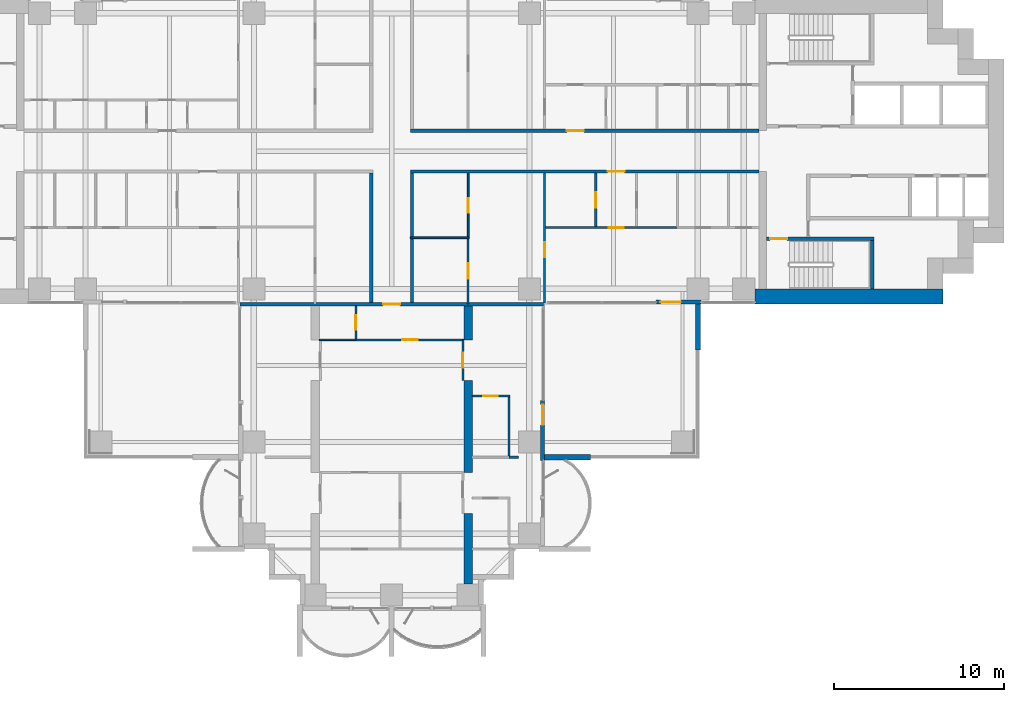
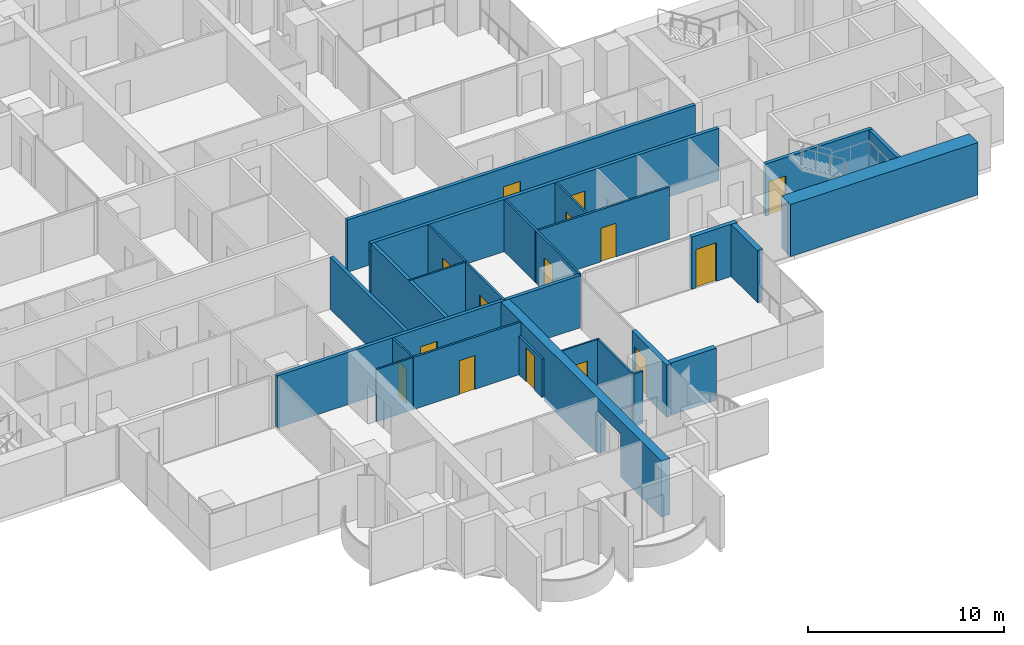
# One storey, part 12 of 21: 26 walls, 15 doors, 15 openings.
"""IFC4 building model written with IfcOpenShell, lengths in metres."""

from ifc_helpers import new_model, si_unit, direction, frame, frame_2d, origin, place, context, subcontext, project, spatial, polyline, rectangle, outline, extrude, material, layer, layer_set, material_profile, profile_set, type_object, element, fill, save


model = new_model("IFC4")

# Units and contexts
model_context = context("Model", 3, precision=1e-05, world=origin(), true_north=direction((0.0, 1.0)))
body_context = subcontext(model_context, "Body", "Model", "MODEL_VIEW")
ifc_project = project(units=[si_unit("LENGTHUNIT", "METRE"), si_unit("AREAUNIT", "SQUARE_METRE"), si_unit("VOLUMEUNIT", "CUBIC_METRE"), si_unit("PLANEANGLEUNIT", "RADIAN"), si_unit("MASSUNIT", "GRAM", prefix="KILO")], contexts=[model_context])

# Site, building, storey
site_placement = place(None, origin())
site = spatial("IfcSite", under=ifc_project, at=site_placement, CompositionType="ELEMENT")
building_placement = place(site_placement, origin())
building = spatial("IfcBuilding", under=site, at=building_placement, Name="Perihelion Cross Residences", CompositionType="ELEMENT")
storey_placement = place(building_placement, frame((0.0, 0.0, 47.0)))
storey = spatial("IfcBuildingStorey", under=building, at=storey_placement, Name="L08", CompositionType="ELEMENT", Elevation=47.0)

# Wall, opening, door
ifc_material_1 = material(Name="Plasterboard partition")
ifc_layer_1 = layer(ifc_material_1, 0.199951171875)
ifc_layer_set_1 = layer_set([ifc_layer_1], Name="Apartment separation wall 200")
wall_type_1 = type_object("IfcWallType", Name="Apartment separation wall 200", PredefinedType="PARTITIONING", material=ifc_layer_set_1)
wall_1_placement = place(storey_placement, frame((1.10009765625, 1.199951171875, 0.0), z_axis=(0.0, 0.0, 1.0), x_axis=(1.0, 0.0, 0.0)))
wall_1 = element("IfcWall", 1, at=wall_1_placement, inside=storey, type_object=wall_type_1, Name="Partition L08 W001", PredefinedType="PARTITIONING", context=body_context, shape_type="SweptSolid", body=[
    extrude(rectangle(XDim=20.5, YDim=0.199951171875, at=frame_2d((10.25, 0.0))), origin(), (0.0, 0.0, 1.0), 3.25),
])
opening_1_placement = place(wall_1_placement, frame((9.199951171875, 0.0, 0.0)))
opening_1 = element("IfcOpeningElement", 2, at=opening_1_placement, cuts=wall_1, Name="Opening L08.A47", PredefinedType="OPENING", context=body_context, shape_type="SweptSolid", body=[
    extrude(rectangle(XDim=1.0, YDim=2.10009765625, at=frame_2d((0.5, 1.050048828125))), frame((0.0, 0.10986328125, 0.0), z_axis=(0.0, -1.0, 0.0), x_axis=(1.0, 0.0, 0.0)), (0.0, 0.0, 1.0), 0.219970703125),
])
ifc_material_2 = material(Name="Timber door leaf", Category="wood")
door_type_1 = type_object("IfcDoorType", Name="Flat entrance door 1000 x 2100", OperationType="SINGLE_SWING_LEFT", PredefinedType="DOOR", material=ifc_material_2)
door_1_placement = place(opening_1_placement, origin())
door_1 = element("IfcDoor", 3, at=door_1_placement, inside=storey, type_object=door_type_1, Name="Door L08.A47", OperationType="SINGLE_SWING_LEFT", OverallHeight=2.10009765625, OverallWidth=1.0, PredefinedType="DOOR", context=body_context, shape_type="SweptSolid", body=[
    extrude(rectangle(XDim=1.0, YDim=2.10009765625, at=frame_2d((0.5, 1.050048828125))), frame((0.0, 0.02490234375, 0.0), z_axis=(0.0, -1.0, 0.0), x_axis=(1.0, 0.0, 0.0)), (0.0, 0.0, 1.0), 0.050048828125),
])
fill(opening_1, door_1)

wall_2_placement = place(storey_placement, frame((21.60009765625, -1.199951171875, 0.0), z_axis=(0.0, 0.0, 1.0), x_axis=(-1.0, 0.0, 0.0)))
wall_2 = element("IfcWall", 4, at=wall_2_placement, inside=storey, type_object=wall_type_1, Name="Partition L08 W003", PredefinedType="PARTITIONING", context=body_context, shape_type="SweptSolid", body=[
    extrude(rectangle(XDim=20.5, YDim=0.199951171875, at=frame_2d((10.25, 0.0))), origin(), (0.0, 0.0, 1.0), 3.25),
])
opening_2_placement = place(wall_2_placement, frame((7.89990234375, 0.0, 0.0)))
opening_2 = element("IfcOpeningElement", 5, at=opening_2_placement, cuts=wall_2, Name="Opening L08.A48", PredefinedType="OPENING", context=body_context, shape_type="SweptSolid", body=[
    extrude(rectangle(XDim=1.0, YDim=2.10009765625, at=frame_2d((0.5, 1.050048828125))), frame((0.0, 0.10986328125, 0.0), z_axis=(0.0, -1.0, 0.0), x_axis=(1.0, 0.0, 0.0)), (0.0, 0.0, 1.0), 0.219970703125),
])
door_2_placement = place(opening_2_placement, origin())
door_2 = element("IfcDoor", 6, at=door_2_placement, inside=storey, type_object=door_type_1, Name="Door L08.A48", OperationType="SINGLE_SWING_RIGHT", OverallHeight=2.10009765625, OverallWidth=1.0, PredefinedType="DOOR", context=body_context, shape_type="SweptSolid", body=[
    extrude(rectangle(XDim=1.0, YDim=2.10009765625, at=frame_2d((0.5, 1.050048828125))), frame((0.0, 0.02490234375, 0.0), z_axis=(0.0, -1.0, 0.0), x_axis=(1.0, 0.0, 0.0)), (0.0, 0.0, 1.0), 0.050048828125),
])
fill(opening_2, door_2)

# Walls
for number, where, z_axis, x_axis, name in (
    (7, (1.199951171875, -1.300048828125, 0.0), (0.0, 0.0, 1.0), (0.0, -1.0, 0.0), "Partition L08 W004"),
    (8, (-1.199951171875, -8.89990234375, 0.0), (0.0, 0.0, 1.0), (0.0, 1.0, 0.0), "Partition L08 W008"),
):
    element("IfcWall", number, at=place(storey_placement, frame(where, z_axis=z_axis, x_axis=x_axis)), inside=storey, type_object=wall_type_1, Name=name, PredefinedType="PARTITIONING", context=body_context, shape_type="SweptSolid", body=[
        extrude(rectangle(XDim=7.599853515625, YDim=0.199951171875, at=frame_2d((3.7998046875, 0.0))), origin(), (0.0, 0.0, 1.0), 3.25),
    ])

# Wall, opening, door
wall_3_placement = place(storey_placement, frame((8.919921875, -9.0, 0.0), z_axis=(0.0, 0.0, 1.0), x_axis=(-1.0, 0.0, 0.0)))
wall_3 = element("IfcWall", 9, at=wall_3_placement, inside=storey, type_object=wall_type_1, Name="Partition L08 W010", PredefinedType="PARTITIONING", context=body_context, shape_type="SweptSolid", body=[
    extrude(rectangle(XDim=17.83984375, YDim=0.199951171875, at=frame_2d((8.919921875, 0.0))), origin(), (0.0, 0.0, 1.0), 3.25),
])
opening_3_placement = place(wall_3_placement, frame((8.419921875, 0.0, 0.0)))
opening_3 = element("IfcOpeningElement", 10, at=opening_3_placement, cuts=wall_3, Name="Opening L08.A39", PredefinedType="OPENING", context=body_context, shape_type="SweptSolid", body=[
    extrude(rectangle(XDim=1.0, YDim=2.10009765625, at=frame_2d((0.5, 1.050048828125))), frame((0.0, 0.10986328125, 0.0), z_axis=(0.0, -1.0, 0.0), x_axis=(1.0, 0.0, 0.0)), (0.0, 0.0, 1.0), 0.219970703125),
])
door_3_placement = place(opening_3_placement, origin())
door_3 = element("IfcDoor", 11, at=door_3_placement, inside=storey, type_object=door_type_1, Name="Door L08.A39", OperationType="SINGLE_SWING_LEFT", OverallHeight=2.10009765625, OverallWidth=1.0, PredefinedType="DOOR", context=body_context, shape_type="SweptSolid", body=[
    extrude(rectangle(XDim=1.0, YDim=2.10009765625, at=frame_2d((0.5, 1.050048828125))), frame((0.0, 0.02490234375, 0.0), z_axis=(0.0, -1.0, 0.0), x_axis=(1.0, 0.0, 0.0)), (0.0, 0.0, 1.0), 0.050048828125),
])
fill(opening_3, door_3)

ifc_material_3 = material(Name="Concrete C30/37, bronze-clad", Category="concrete")
ifc_layer_2 = layer(ifc_material_3, 0.25)
ifc_layer_set_2 = layer_set([ifc_layer_2], Name="Bronze-clad pier wall 250")
wall_type_2 = type_object("IfcWallType", Name="Bronze-clad pier wall 250", PredefinedType="SOLIDWALL", material=ifc_layer_set_2)
wall_4_placement = place(storey_placement, frame((8.875, -18.199951171875, 0.0), z_axis=(0.0, 0.0, 1.0), x_axis=(0.0, 1.0, 0.0)))
wall_4 = element("IfcWall", 12, at=wall_4_placement, inside=storey, type_object=wall_type_2, Name="Wall FW1 L08 south side east bay 2 pier", PredefinedType="SOLIDWALL", context=body_context, shape_type="SweptSolid", body=[
    extrude(rectangle(XDim=3.550048828125, YDim=0.25, at=frame_2d((1.77490234375, 0.0))), origin(), (0.0, 0.0, 1.0), 3.25),
])
opening_4_placement = place(wall_4_placement, frame((2.10009765625, 0.0, 0.0)))
opening_4 = element("IfcOpeningElement", 13, at=opening_4_placement, cuts=wall_4, Name="Opening L08.E15", PredefinedType="OPENING", context=body_context, shape_type="SweptSolid", body=[
    extrude(rectangle(XDim=1.199951171875, YDim=2.39990234375, at=frame_2d((0.60009765625, 1.199951171875))), frame((0.0, 0.135009765625, 0.0), z_axis=(0.0, -1.0, 0.0), x_axis=(1.0, 0.0, 0.0)), (0.0, 0.0, 1.0), 0.27001953125),
])
ifc_material_4 = material(Name="Bronze anodised aluminium, glazed", Category="aluminium")
door_type_2 = type_object("IfcDoorType", Name="Balcony door 1200 x 2400", OperationType="NOTDEFINED", PredefinedType="DOOR", material=ifc_material_4)
door_4_placement = place(opening_4_placement, origin())
door_4 = element("IfcDoor", 14, at=door_4_placement, inside=storey, type_object=door_type_2, Name="Door L08.E15 south side east bay 2", OperationType="SINGLE_SWING_RIGHT", OverallHeight=2.39990234375, OverallWidth=1.199951171875, PredefinedType="DOOR", context=body_context, shape_type="SweptSolid", body=[
    extrude(rectangle(XDim=1.199951171875, YDim=2.39990234375, at=frame_2d((0.60009765625, 1.199951171875))), frame((0.0, 0.02490234375, 0.0), z_axis=(0.0, -1.0, 0.0), x_axis=(1.0, 0.0, 0.0)), (0.0, 0.0, 1.0), 0.050048828125),
])
fill(opening_4, door_4)

wall_5_placement = place(storey_placement, frame((15.550048828125, -8.875, 0.0), z_axis=(0.0, 0.0, 1.0), x_axis=(1.0, 0.0, 0.0)))
wall_5 = element("IfcWall", 15, at=wall_5_placement, inside=storey, type_object=wall_type_2, Name="Wall FW1 L08 east side south bay 1 pier", PredefinedType="SOLIDWALL", context=body_context, shape_type="SweptSolid", body=[
    extrude(rectangle(XDim=2.64990234375, YDim=0.25, at=frame_2d((1.324951171875, 0.0))), origin(), (0.0, 0.0, 1.0), 3.25),
])
opening_5_placement = place(wall_5_placement, frame((0.25, 0.0, 0.0)))
opening_5 = element("IfcOpeningElement", 16, at=opening_5_placement, cuts=wall_5, Name="Opening L08.E16", PredefinedType="OPENING", context=body_context, shape_type="SweptSolid", body=[
    extrude(rectangle(XDim=1.199951171875, YDim=2.39990234375, at=frame_2d((0.60009765625, 1.199951171875))), frame((0.0, 0.135009765625, 0.0), z_axis=(0.0, -1.0, 0.0), x_axis=(1.0, 0.0, 0.0)), (0.0, 0.0, 1.0), 0.27001953125),
])
door_5_placement = place(opening_5_placement, origin())
door_5 = element("IfcDoor", 17, at=door_5_placement, inside=storey, type_object=door_type_2, Name="Door L08.E16 east side south bay 1", OperationType="SINGLE_SWING_LEFT", OverallHeight=2.39990234375, OverallWidth=1.199951171875, PredefinedType="DOOR", context=body_context, shape_type="SweptSolid", body=[
    extrude(rectangle(XDim=1.199951171875, YDim=2.39990234375, at=frame_2d((0.60009765625, 1.199951171875))), frame((0.0, 0.02490234375, 0.0), z_axis=(0.0, -1.0, 0.0), x_axis=(1.0, 0.0, 0.0)), (0.0, 0.0, 1.0), 0.050048828125),
])
fill(opening_5, door_5)

# Wall
ifc_material_5 = material(Name="Concrete C60/75", Category="concrete")
ifc_layer_3 = layer(ifc_material_5, 0.89990234375)
ifc_layer_set_3 = layer_set([ifc_layer_3], Name="Core wall, outer 900")
wall_type_3 = type_object("IfcWallType", Name="Core wall, outer 900", PredefinedType="SHEAR", material=ifc_layer_set_3)
wall_6_placement = place(storey_placement, frame((21.35009765625, -8.550048828125, 0.0), z_axis=(0.0, 0.0, 1.0), x_axis=(1.0, 0.0, 0.0)))
element("IfcWall", 18, at=wall_6_placement, inside=storey, type_object=wall_type_3, Name="East core core wall, outer", PredefinedType="SHEAR", context=body_context, shape_type="SweptSolid", body=[
    extrude(rectangle(XDim=11.0498046875, YDim=0.89990234375, at=frame_2d((5.52490234375, 0.0))), origin(), (0.0, 0.0, 1.0), 3.25),
])

# Wall, opening, door
ifc_material_6 = material(Name="Plasterboard partition")
ifc_layer_4 = layer(ifc_material_6, 0.1201171875)
ifc_layer_set_4 = layer_set([ifc_layer_4], Name="Infill panel 120")
wall_type_4 = type_object("IfcWallType", Name="Infill panel 120", PredefinedType="PARTITIONING", material=ifc_layer_set_4)
wall_7_placement = place(storey_placement, frame((4.18994140625, -11.10009765625, 0.0), z_axis=(0.0, 0.0, 1.0), x_axis=(0.0, -1.0, 0.0)))
wall_7 = element("IfcWall", 19, at=wall_7_placement, inside=storey, type_object=wall_type_4, Name="Partition L08 WI05", PredefinedType="PARTITIONING", context=body_context, shape_type="SweptSolid", body=[
    extrude(rectangle(XDim=2.39990234375, YDim=0.1201171875, at=frame_2d((1.199951171875, 0.0))), origin(), (0.0, 0.0, 1.0), 2.39990234375),
])
opening_6_placement = place(wall_7_placement, frame((0.75, 0.0, 0.0)))
opening_6 = element("IfcOpeningElement", 20, at=opening_6_placement, cuts=wall_7, Name="Opening L08.A55", PredefinedType="OPENING", context=body_context, shape_type="SweptSolid", body=[
    extrude(rectangle(XDim=0.89990234375, YDim=2.10009765625, at=frame_2d((0.449951171875, 1.050048828125))), frame((0.0, 0.070068359375, 0.0), z_axis=(0.0, -1.0, 0.0), x_axis=(1.0, 0.0, 0.0)), (0.0, 0.0, 1.0), 0.14013671875),
])
ifc_material_7 = material(Name="Timber door leaf", Category="wood")
door_type_3 = type_object("IfcDoorType", Name="Interior room door 900 x 2100", OperationType="SINGLE_SWING_LEFT", PredefinedType="DOOR", material=ifc_material_7)
door_6_placement = place(opening_6_placement, origin())
door_6 = element("IfcDoor", 21, at=door_6_placement, inside=storey, type_object=door_type_3, Name="Door L08.A55", OperationType="SINGLE_SWING_RIGHT", OverallHeight=2.10009765625, OverallWidth=0.89990234375, PredefinedType="DOOR", context=body_context, shape_type="SweptSolid", body=[
    extrude(rectangle(XDim=0.89990234375, YDim=2.10009765625, at=frame_2d((0.449951171875, 1.050048828125))), frame((0.0, 0.02490234375, 0.0), z_axis=(0.0, -1.0, 0.0), x_axis=(1.0, 0.0, 0.0)), (0.0, 0.0, 1.0), 0.050048828125),
])
fill(opening_6, door_6)

ifc_material_8 = material(Name="Plasterboard partition")
ifc_layer_5 = layer(ifc_material_8, 0.1201171875)
ifc_layer_set_5 = layer_set([ifc_layer_5], Name="Partition wall 120")
wall_type_5 = type_object("IfcWallType", Name="Partition wall 120", PredefinedType="PARTITIONING", material=ifc_layer_set_5)
wall_8_placement = place(storey_placement, frame((12.0, -1.300048828125, 0.0), z_axis=(0.0, 0.0, 1.0), x_axis=(0.0, -1.0, 0.0)))
wall_8 = element("IfcWall", 22, at=wall_8_placement, inside=storey, type_object=wall_type_5, Name="Partition L08 W020", PredefinedType="PARTITIONING", context=body_context, shape_type="SweptSolid", body=[
    extrude(rectangle(XDim=3.139892578125, YDim=0.1201171875, at=frame_2d((1.56982421875, 0.0))), origin(), (0.0, 0.0, 1.0), 3.25),
])
opening_7_placement = place(wall_8_placement, frame((1.1201171875, 0.0, 0.0)))
opening_7 = element("IfcOpeningElement", 23, at=opening_7_placement, cuts=wall_8, Name="Opening L08.A11", PredefinedType="OPENING", context=body_context, shape_type="SweptSolid", body=[
    extrude(rectangle(XDim=0.89990234375, YDim=2.10009765625, at=frame_2d((0.449951171875, 1.050048828125))), frame((0.0, 0.070068359375, 0.0), z_axis=(0.0, -1.0, 0.0), x_axis=(1.0, 0.0, 0.0)), (0.0, 0.0, 1.0), 0.14013671875),
])
door_7_placement = place(opening_7_placement, origin())
door_7 = element("IfcDoor", 24, at=door_7_placement, inside=storey, type_object=door_type_3, Name="Door L08.A11", OperationType="SINGLE_SWING_RIGHT", OverallHeight=2.10009765625, OverallWidth=0.89990234375, PredefinedType="DOOR", context=body_context, shape_type="SweptSolid", body=[
    extrude(rectangle(XDim=0.89990234375, YDim=2.10009765625, at=frame_2d((0.449951171875, 1.050048828125))), frame((0.0, 0.02490234375, 0.0), z_axis=(0.0, -1.0, 0.0), x_axis=(1.0, 0.0, 0.0)), (0.0, 0.0, 1.0), 0.050048828125),
])
fill(opening_7, door_7)

wall_9_placement = place(storey_placement, frame((16.800048828125, -4.5, 0.0), z_axis=(0.0, 0.0, 1.0), x_axis=(-1.0, 0.0, 0.0)))
wall_9 = element("IfcWall", 25, at=wall_9_placement, inside=storey, type_object=wall_type_5, Name="Partition L08 W021", PredefinedType="PARTITIONING", context=body_context, shape_type="SweptSolid", body=[
    extrude(rectangle(XDim=7.860107421875, YDim=0.1201171875, at=frame_2d((3.93017578125, 0.0))), origin(), (0.0, 0.0, 1.0), 3.25),
])
opening_8_placement = place(wall_9_placement, frame((3.14990234375, 0.0, 0.0)))
opening_8 = element("IfcOpeningElement", 26, at=opening_8_placement, cuts=wall_9, Name="Opening L08.A14", PredefinedType="OPENING", context=body_context, shape_type="SweptSolid", body=[
    extrude(rectangle(XDim=0.89990234375, YDim=2.10009765625, at=frame_2d((0.449951171875, 1.050048828125))), frame((0.0, 0.070068359375, 0.0), z_axis=(0.0, -1.0, 0.0), x_axis=(1.0, 0.0, 0.0)), (0.0, 0.0, 1.0), 0.14013671875),
])
door_8_placement = place(opening_8_placement, origin())
door_8 = element("IfcDoor", 27, at=door_8_placement, inside=storey, type_object=door_type_3, Name="Door L08.A14", OperationType="SINGLE_SWING_RIGHT", OverallHeight=2.10009765625, OverallWidth=0.89990234375, PredefinedType="DOOR", context=body_context, shape_type="SweptSolid", body=[
    extrude(rectangle(XDim=0.89990234375, YDim=2.10009765625, at=frame_2d((0.449951171875, 1.050048828125))), frame((0.0, 0.02490234375, 0.0), z_axis=(0.0, -1.0, 0.0), x_axis=(1.0, 0.0, 0.0)), (0.0, 0.0, 1.0), 0.050048828125),
])
fill(opening_8, door_8)

wall_10_placement = place(storey_placement, frame((9.0, -8.919921875, 0.0), z_axis=(0.0, 0.0, 1.0), x_axis=(0.0, 1.0, 0.0)))
wall_10 = element("IfcWall", 28, at=wall_10_placement, inside=storey, type_object=wall_type_5, Name="Partition L08 W022", PredefinedType="PARTITIONING", context=body_context, shape_type="SweptSolid", body=[
    extrude(rectangle(XDim=7.619873046875, YDim=0.1201171875, at=frame_2d((3.81005859375, 0.0))), origin(), (0.0, 0.0, 1.0), 3.25),
])
opening_9_placement = place(wall_10_placement, frame((2.669921875, 0.0, 0.0)))
opening_9 = element("IfcOpeningElement", 29, at=opening_9_placement, cuts=wall_10, Name="Opening L08.A10", PredefinedType="OPENING", context=body_context, shape_type="SweptSolid", body=[
    extrude(rectangle(XDim=0.89990234375, YDim=2.10009765625, at=frame_2d((0.449951171875, 1.050048828125))), frame((0.0, 0.070068359375, 0.0), z_axis=(0.0, -1.0, 0.0), x_axis=(1.0, 0.0, 0.0)), (0.0, 0.0, 1.0), 0.14013671875),
])
door_9_placement = place(opening_9_placement, origin())
door_9 = element("IfcDoor", 30, at=door_9_placement, inside=storey, type_object=door_type_3, Name="Door L08.A10", OperationType="SINGLE_SWING_RIGHT", OverallHeight=2.10009765625, OverallWidth=0.89990234375, PredefinedType="DOOR", context=body_context, shape_type="SweptSolid", body=[
    extrude(rectangle(XDim=0.89990234375, YDim=2.10009765625, at=frame_2d((0.449951171875, 1.050048828125))), frame((0.0, 0.02490234375, 0.0), z_axis=(0.0, -1.0, 0.0), x_axis=(1.0, 0.0, 0.0)), (0.0, 0.0, 1.0), 0.050048828125),
])
fill(opening_9, door_9)

wall_11_placement = place(storey_placement, frame((4.5, -9.0, 0.0), z_axis=(0.0, 0.0, 1.0), x_axis=(0.0, 1.0, 0.0)))
wall_11 = element("IfcWall", 31, at=wall_11_placement, inside=storey, type_object=wall_type_5, Name="Partition L08 W029", PredefinedType="PARTITIONING", context=body_context, shape_type="SweptSolid", body=[
    extrude(rectangle(XDim=3.89990234375, YDim=0.1201171875, at=frame_2d((1.949951171875, 0.0))), origin(), (0.0, 0.0, 1.0), 3.25),
])
opening_10_placement = place(wall_11_placement, frame((1.5, 0.0, 0.0)))
opening_10 = element("IfcOpeningElement", 32, at=opening_10_placement, cuts=wall_11, Name="Opening L08.A12", PredefinedType="OPENING", context=body_context, shape_type="SweptSolid", body=[
    extrude(rectangle(XDim=0.89990234375, YDim=2.10009765625, at=frame_2d((0.449951171875, 1.050048828125))), frame((0.0, 0.070068359375, 0.0), z_axis=(0.0, -1.0, 0.0), x_axis=(1.0, 0.0, 0.0)), (0.0, 0.0, 1.0), 0.14013671875),
])
door_10_placement = place(opening_10_placement, origin())
door_10 = element("IfcDoor", 33, at=door_10_placement, inside=storey, type_object=door_type_3, Name="Door L08.A12", OperationType="SINGLE_SWING_LEFT", OverallHeight=2.10009765625, OverallWidth=0.89990234375, PredefinedType="DOOR", context=body_context, shape_type="SweptSolid", body=[
    extrude(rectangle(XDim=0.89990234375, YDim=2.10009765625, at=frame_2d((0.449951171875, 1.050048828125))), frame((0.0, 0.02490234375, 0.0), z_axis=(0.0, -1.0, 0.0), x_axis=(1.0, 0.0, 0.0)), (0.0, 0.0, 1.0), 0.050048828125),
])
fill(opening_10, door_10)

wall_12_placement = place(storey_placement, frame((4.25, -11.10009765625, 0.0), z_axis=(0.0, 0.0, 1.0), x_axis=(-1.0, 0.0, 0.0)))
wall_12 = element("IfcWall", 34, at=wall_12_placement, inside=storey, type_object=wall_type_5, Name="Partition L08 W067", PredefinedType="PARTITIONING", context=body_context, shape_type="SweptSolid", body=[
    extrude(rectangle(XDim=6.35009765625, YDim=0.1201171875, at=frame_2d((3.175048828125, 0.0))), origin(), (0.0, 0.0, 1.0), 3.25),
])
opening_11_placement = place(wall_12_placement, frame((2.72509765625, 0.0, 0.0)))
opening_11 = element("IfcOpeningElement", 35, at=opening_11_placement, cuts=wall_12, Name="Opening L08.A41", PredefinedType="OPENING", context=body_context, shape_type="SweptSolid", body=[
    extrude(rectangle(XDim=0.89990234375, YDim=2.10009765625, at=frame_2d((0.449951171875, 1.050048828125))), frame((0.0, 0.070068359375, 0.0), z_axis=(0.0, -1.0, 0.0), x_axis=(1.0, 0.0, 0.0)), (0.0, 0.0, 1.0), 0.14013671875),
])
door_11_placement = place(opening_11_placement, origin())
door_11 = element("IfcDoor", 36, at=door_11_placement, inside=storey, type_object=door_type_3, Name="Door L08.A41", OperationType="SINGLE_SWING_RIGHT", OverallHeight=2.10009765625, OverallWidth=0.89990234375, PredefinedType="DOOR", context=body_context, shape_type="SweptSolid", body=[
    extrude(rectangle(XDim=0.89990234375, YDim=2.10009765625, at=frame_2d((0.449951171875, 1.050048828125))), frame((0.0, 0.02490234375, 0.0), z_axis=(0.0, -1.0, 0.0), x_axis=(1.0, 0.0, 0.0)), (0.0, 0.0, 1.0), 0.050048828125),
])
fill(opening_11, door_11)

# Walls
wall_13_placement = place(storey_placement, frame((7.449951171875, -18.0, 0.0), z_axis=(0.0, 0.0, 1.0), x_axis=(-1.0, 0.0, 0.0)))
element("IfcWall", 37, at=wall_13_placement, inside=storey, type_object=wall_type_5, Name="Partition L08 W074", PredefinedType="PARTITIONING", context=body_context, shape_type="SweptSolid", body=[
    extrude(rectangle(XDim=0.550048828125, YDim=0.1201171875, at=frame_2d((0.27490234375, 0.0))), origin(), (0.0, 0.0, 1.0), 3.25),
])
ifc_material_9 = material(Name="Precast concrete C50/60", Category="concrete")
ifc_layer_6 = layer(ifc_material_9, 0.300048828125)
ifc_layer_set_6 = layer_set([ifc_layer_6], Name="Precast concrete C50/60 blade wall 300")
wall_type_6 = type_object("IfcWallType", Name="Precast concrete C50/60 blade wall 300", PredefinedType="SOLIDWALL", material=ifc_layer_set_6)
wall_14_placement = place(storey_placement, frame((9.0, -18.0, 0.0), z_axis=(0.0, 0.0, 1.0), x_axis=(1.0, 0.0, 0.0)))
element("IfcWall", 38, at=wall_14_placement, inside=storey, type_object=wall_type_6, Name="Wall BL1 L08 no. 15", PredefinedType="SOLIDWALL", context=body_context, shape_type="SweptSolid", body=[
    extrude(rectangle(XDim=2.699951171875, YDim=0.300048828125, at=frame_2d((1.35009765625, 0.0))), origin(), (0.0, 0.0, 1.0), 3.25),
])
wall_15_placement = place(storey_placement, frame((18.0, -8.75, 0.0), z_axis=(0.0, 0.0, 1.0), x_axis=(0.0, -1.0, 0.0)))
element("IfcWall", 39, at=wall_15_placement, inside=storey, type_object=wall_type_6, Name="Wall BL1 L08 no. 11", PredefinedType="SOLIDWALL", context=body_context, shape_type="SweptSolid", body=[
    extrude(rectangle(XDim=2.949951171875, YDim=0.300048828125, at=frame_2d((1.47509765625, 0.0))), origin(), (0.0, 0.0, 1.0), 3.25),
])

# Wall, opening, door
ifc_material_10 = material(Name="Concrete C50/60", Category="concrete")
ifc_layer_7 = layer(ifc_material_10, 0.199951171875)
ifc_layer_set_7 = layer_set([ifc_layer_7], Name="Stair wall 200")
wall_type_7 = type_object("IfcWallType", Name="Stair wall 200", PredefinedType="SOLIDWALL", material=ifc_layer_set_7)
wall_16_placement = place(storey_placement, frame((22.050048828125, -5.14990234375, 0.0), z_axis=(0.0, 0.0, 1.0), x_axis=(1.0, 0.0, 0.0)))
wall_16 = element("IfcWall", 40, at=wall_16_placement, inside=storey, type_object=wall_type_7, Name="East core stair wall", PredefinedType="SOLIDWALL", context=body_context, shape_type="SweptSolid", body=[
    extrude(rectangle(XDim=6.300048828125, YDim=0.199951171875, at=frame_2d((3.14990234375, 0.0))), origin(), (0.0, 0.0, 1.0), 3.25),
])
opening_12_placement = place(wall_16_placement, frame((0.199951171875, 0.0, 0.0)))
opening_12 = element("IfcOpeningElement", 41, at=opening_12_placement, cuts=wall_16, Name="Opening L08.C05", PredefinedType="OPENING", context=body_context, shape_type="SweptSolid", body=[
    extrude(rectangle(XDim=1.0, YDim=2.10009765625, at=frame_2d((0.5, 1.050048828125))), frame((0.0, 0.10986328125, 0.0), z_axis=(0.0, -1.0, 0.0), x_axis=(1.0, 0.0, 0.0)), (0.0, 0.0, 1.0), 0.219970703125),
])
ifc_material_11 = material(Name="Steel, powder coated", Category="steel")
door_type_4 = type_object("IfcDoorType", Name="Stair door 1000", OperationType="SINGLE_SWING_LEFT", PredefinedType="DOOR", material=ifc_material_11)
door_12_placement = place(opening_12_placement, origin())
door_12 = element("IfcDoor", 42, at=door_12_placement, inside=storey, type_object=door_type_4, Name="East core stair door", OperationType="SINGLE_SWING_LEFT", OverallHeight=2.10009765625, OverallWidth=1.0, PredefinedType="DOOR", context=body_context, shape_type="SweptSolid", body=[
    extrude(rectangle(XDim=1.0, YDim=2.10009765625, at=frame_2d((0.5, 1.050048828125))), frame((0.0, 0.02490234375, 0.0), z_axis=(0.0, -1.0, 0.0), x_axis=(1.0, 0.0, 0.0)), (0.0, 0.0, 1.0), 0.050048828125),
])
fill(opening_12, door_12)

# Walls
wall_17_placement = place(storey_placement, frame((28.25, -8.10009765625, 0.0), z_axis=(0.0, 0.0, 1.0), x_axis=(0.0, 1.0, 0.0)))
element("IfcWall", 43, at=wall_17_placement, inside=storey, type_object=wall_type_7, Name="East core stair wall", PredefinedType="SOLIDWALL", context=body_context, shape_type="SweptSolid", body=[
    extrude(rectangle(XDim=2.85009765625, YDim=0.199951171875, at=frame_2d((1.425048828125, 0.0))), origin(), (0.0, 0.0, 1.0), 3.25),
])
ifc_material_12 = material(Name="Concrete C60/75", Category="concrete")
ifc_material_profile = material_profile(ifc_material_12, outline(polyline([(0.0, 0.0), (4.14990234375, 0.0), (4.14990234375, 2.64990234375), (6.550048828125, 2.64990234375), (6.550048828125, 0.0), (11.949951171875, 0.0), (11.949951171875, 2.64990234375), (14.35009765625, 2.64990234375), (14.35009765625, 0.0), (16.449951171875, 0.0), (16.449951171875, 3.5), (0.0, 3.5), (0.0, 0.0)])), Name="Tip spine wall")
ifc_profile_set = profile_set([ifc_material_profile], Name="Concrete C60/75")
wall_type_8 = type_object("IfcWallType", Name="Tip spine wall 500 with 2 door openings 16450 long 3500 high concrete C60/75 hand A", PredefinedType="SHEAR", material=ifc_profile_set)
wall_18_placement = place(storey_placement, frame((4.25, -25.449951171875, -0.25), z_axis=(1.0, 0.0, 0.0), x_axis=(0.0, 1.0, 0.0)))
element("IfcWall", 44, at=wall_18_placement, inside=storey, type_object=wall_type_8, Name="Shear wall SW24 L08 south east", PredefinedType="SHEAR", context=body_context, shape_type="SweptSolid", body=[
    extrude(outline(polyline([(0.0, 0.0), (4.14990234375, 0.0), (4.14990234375, 2.64990234375), (6.550048828125, 2.64990234375), (6.550048828125, 0.0), (11.949951171875, 0.0), (11.949951171875, 2.64990234375), (14.35009765625, 2.64990234375), (14.35009765625, 0.0), (16.449951171875, 0.0), (16.449951171875, 3.5), (0.0, 3.5), (0.0, 0.0)])), origin(), (0.0, 0.0, 1.0), 0.5),
])

# Wall, opening, door
ifc_material_13 = material(Name="Plasterboard partition")
ifc_layer_8 = layer(ifc_material_13, 0.10009765625)
ifc_layer_set_8 = layer_set([ifc_layer_8], Name="Wet room wall 100")
wall_type_9 = type_object("IfcWallType", Name="Wet room wall 100", PredefinedType="PARTITIONING", material=ifc_layer_set_8)
wall_19_placement = place(storey_placement, frame((4.5, -5.10009765625, 0.0), z_axis=(0.0, 0.0, 1.0), x_axis=(0.0, 1.0, 0.0)))
wall_19 = element("IfcWall", 45, at=wall_19_placement, inside=storey, type_object=wall_type_9, Name="Partition L08 W028", PredefinedType="PARTITIONING", context=body_context, shape_type="SweptSolid", body=[
    extrude(rectangle(XDim=3.800048828125, YDim=0.10009765625, at=frame_2d((1.89990234375, 0.0))), origin(), (0.0, 0.0, 1.0), 3.25),
])
opening_13_placement = place(wall_19_placement, frame((1.47509765625, 0.0, 0.0)))
opening_13 = element("IfcOpeningElement", 46, at=opening_13_placement, cuts=wall_19, Name="Opening L08.A09", PredefinedType="OPENING", context=body_context, shape_type="SweptSolid", body=[
    extrude(rectangle(XDim=0.85009765625, YDim=2.10009765625, at=frame_2d((0.425048828125, 1.050048828125))), frame((0.0, 0.06005859375, 0.0), z_axis=(0.0, -1.0, 0.0), x_axis=(1.0, 0.0, 0.0)), (0.0, 0.0, 1.0), 0.1201171875),
])
ifc_material_14 = material(Name="Timber door leaf", Category="wood")
door_type_5 = type_object("IfcDoorType", Name="Interior bathroom door 850 x 2100", OperationType="SINGLE_SWING_LEFT", PredefinedType="DOOR", material=ifc_material_14)
door_13_placement = place(opening_13_placement, origin())
door_13 = element("IfcDoor", 47, at=door_13_placement, inside=storey, type_object=door_type_5, Name="Door L08.A09", OperationType="SINGLE_SWING_RIGHT", OverallHeight=2.10009765625, OverallWidth=0.85009765625, PredefinedType="DOOR", context=body_context, shape_type="SweptSolid", body=[
    extrude(rectangle(XDim=0.85009765625, YDim=2.10009765625, at=frame_2d((0.425048828125, 1.050048828125))), frame((0.0, 0.02490234375, 0.0), z_axis=(0.0, -1.0, 0.0), x_axis=(1.0, 0.0, 0.0)), (0.0, 0.0, 1.0), 0.050048828125),
])
fill(opening_13, door_13)

# Wall
wall_20_placement = place(storey_placement, frame((4.56005859375, -5.10009765625, 0.0), z_axis=(0.0, 0.0, 1.0), x_axis=(-1.0, 0.0, 0.0)))
element("IfcWall", 48, at=wall_20_placement, inside=storey, type_object=wall_type_9, Name="Partition L08 W030", PredefinedType="PARTITIONING", context=body_context, shape_type="SweptSolid", body=[
    extrude(rectangle(XDim=3.4599609375, YDim=0.10009765625, at=frame_2d((1.72998046875, 0.0))), origin(), (0.0, 0.0, 1.0), 3.25),
])

# Wall, opening, door
wall_21_placement = place(storey_placement, frame((-2.10009765625, -11.0400390625, 0.0), z_axis=(0.0, 0.0, 1.0), x_axis=(0.0, 1.0, 0.0)))
wall_21 = element("IfcWall", 49, at=wall_21_placement, inside=storey, type_object=wall_type_9, Name="Partition L08 W066", PredefinedType="PARTITIONING", context=body_context, shape_type="SweptSolid", body=[
    extrude(rectangle(XDim=1.93994140625, YDim=0.10009765625, at=frame_2d((0.969970703125, 0.0))), origin(), (0.0, 0.0, 1.0), 3.25),
])
opening_14_placement = place(wall_21_placement, frame((0.544921875, 0.0, 0.0)))
opening_14 = element("IfcOpeningElement", 50, at=opening_14_placement, cuts=wall_21, Name="Opening L08.A40", PredefinedType="OPENING", context=body_context, shape_type="SweptSolid", body=[
    extrude(rectangle(XDim=0.85009765625, YDim=2.10009765625, at=frame_2d((0.425048828125, 1.050048828125))), frame((0.0, 0.06005859375, 0.0), z_axis=(0.0, -1.0, 0.0), x_axis=(1.0, 0.0, 0.0)), (0.0, 0.0, 1.0), 0.1201171875),
])
door_14_placement = place(opening_14_placement, origin())
door_14 = element("IfcDoor", 51, at=door_14_placement, inside=storey, type_object=door_type_5, Name="Door L08.A40", OperationType="SINGLE_SWING_RIGHT", OverallHeight=2.10009765625, OverallWidth=0.85009765625, PredefinedType="DOOR", context=body_context, shape_type="SweptSolid", body=[
    extrude(rectangle(XDim=0.85009765625, YDim=2.10009765625, at=frame_2d((0.425048828125, 1.050048828125))), frame((0.0, 0.02490234375, 0.0), z_axis=(0.0, -1.0, 0.0), x_axis=(1.0, 0.0, 0.0)), (0.0, 0.0, 1.0), 0.050048828125),
])
fill(opening_14, door_14)

# Walls
wall_22_placement = place(storey_placement, frame((-2.10009765625, -11.10009765625, 0.0), z_axis=(0.0, 0.0, 1.0), x_axis=(-1.0, 0.0, 0.0)))
element("IfcWall", 52, at=wall_22_placement, inside=storey, type_object=wall_type_9, Name="Partition L08 W068", PredefinedType="PARTITIONING", context=body_context, shape_type="SweptSolid", body=[
    extrude(rectangle(XDim=2.14990234375, YDim=0.10009765625, at=frame_2d((1.074951171875, 0.0))), origin(), (0.0, 0.0, 1.0), 3.25),
])
wall_23_placement = place(storey_placement, frame((6.89990234375, -17.93994140625, 0.0), z_axis=(0.0, 0.0, 1.0), x_axis=(0.0, 1.0, 0.0)))
element("IfcWall", 53, at=wall_23_placement, inside=storey, type_object=wall_type_9, Name="Partition L08 W072", PredefinedType="PARTITIONING", context=body_context, shape_type="SweptSolid", body=[
    extrude(rectangle(XDim=3.489990234375, YDim=0.10009765625, at=frame_2d((1.7451171875, 0.0))), origin(), (0.0, 0.0, 1.0), 3.25),
])

# Wall, opening, door
wall_24_placement = place(storey_placement, frame((6.949951171875, -14.39990234375, 0.0), z_axis=(0.0, 0.0, 1.0), x_axis=(-1.0, 0.0, 0.0)))
wall_24 = element("IfcWall", 54, at=wall_24_placement, inside=storey, type_object=wall_type_9, Name="Partition L08 W073", PredefinedType="PARTITIONING", context=body_context, shape_type="SweptSolid", body=[
    extrude(rectangle(XDim=2.199951171875, YDim=0.10009765625, at=frame_2d((1.10009765625, 0.0))), origin(), (0.0, 0.0, 1.0), 3.25),
])
opening_15_placement = place(wall_24_placement, frame((0.699951171875, 0.0, 0.0)))
opening_15 = element("IfcOpeningElement", 55, at=opening_15_placement, cuts=wall_24, Name="Opening L08.A45", PredefinedType="OPENING", context=body_context, shape_type="SweptSolid", body=[
    extrude(rectangle(XDim=0.85009765625, YDim=2.10009765625, at=frame_2d((0.425048828125, 1.050048828125))), frame((0.0, 0.06005859375, 0.0), z_axis=(0.0, -1.0, 0.0), x_axis=(1.0, 0.0, 0.0)), (0.0, 0.0, 1.0), 0.1201171875),
])
door_15_placement = place(opening_15_placement, origin())
door_15 = element("IfcDoor", 56, at=door_15_placement, inside=storey, type_object=door_type_5, Name="Door L08.A45", OperationType="SINGLE_SWING_LEFT", OverallHeight=2.10009765625, OverallWidth=0.85009765625, PredefinedType="DOOR", context=body_context, shape_type="SweptSolid", body=[
    extrude(rectangle(XDim=0.85009765625, YDim=2.10009765625, at=frame_2d((0.425048828125, 1.050048828125))), frame((0.0, 0.02490234375, 0.0), z_axis=(0.0, -1.0, 0.0), x_axis=(1.0, 0.0, 0.0)), (0.0, 0.0, 1.0), 0.050048828125),
])
fill(opening_15, door_15)

save(model, "model.ifc")
